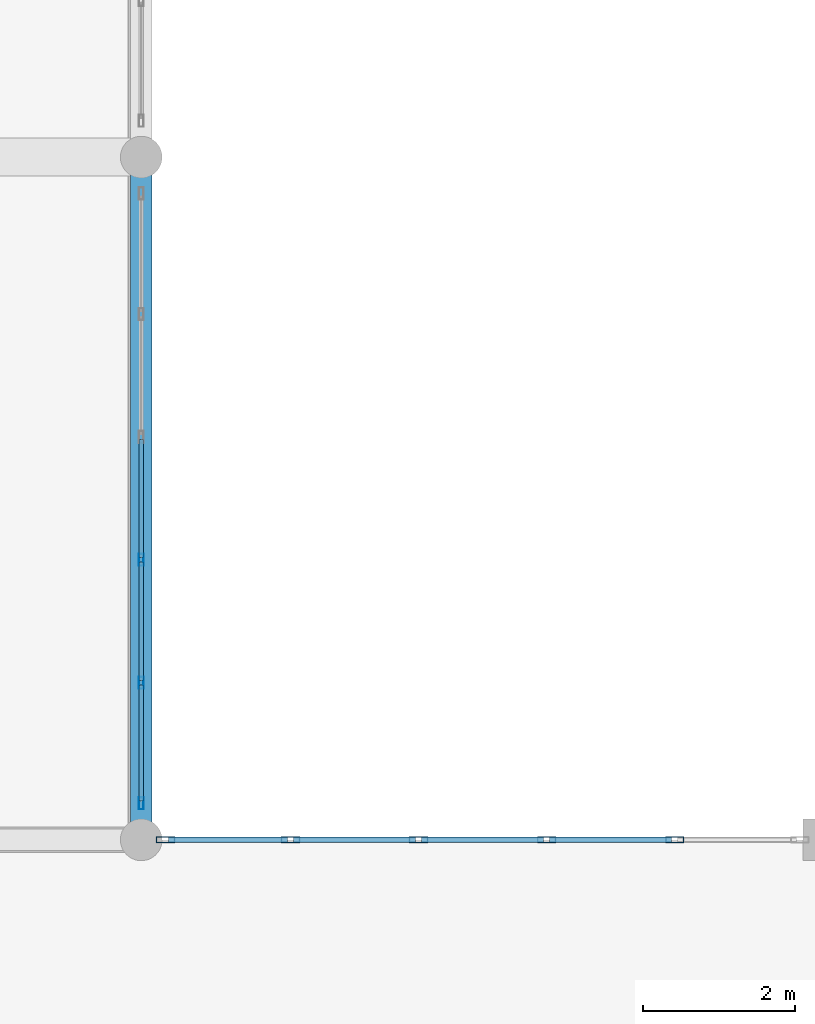
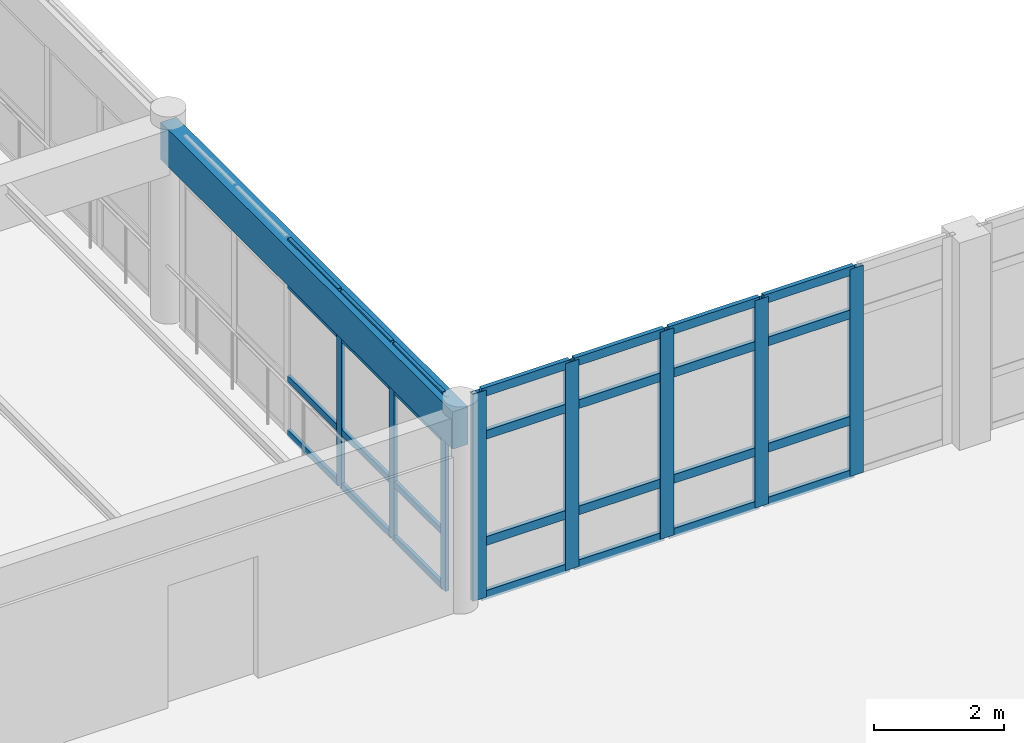
# One storey, part 23 of 156: 36 members, 1 beam, 2 elements without a shape of their own.
"""IFC4 building model written with IfcOpenShell, lengths in metres."""

from ifc_helpers import new_model, si_unit, direction, frame, origin, origin_2d, place, context, subcontext, project, spatial, rectangle, hollow_rectangle, extrude, material, layer, layer_set, material_profile, profile_set, type_object, element, aggregate, save


model = new_model("IFC4")

# Units and contexts
model_context = context("Model", 3, precision=1e-05, world=origin(), true_north=direction((0.0, 1.0)))
body_context = subcontext(model_context, "Body", "Model", "MODEL_VIEW")
ifc_project = project(units=[si_unit("LENGTHUNIT", "METRE"), si_unit("AREAUNIT", "SQUARE_METRE"), si_unit("VOLUMEUNIT", "CUBIC_METRE"), si_unit("PLANEANGLEUNIT", "RADIAN"), si_unit("MASSUNIT", "GRAM", prefix="KILO")], contexts=[model_context])

# Site, building, storey
site_placement = place(None, origin())
site = spatial("IfcSite", under=ifc_project, at=site_placement, CompositionType="ELEMENT")
building_placement = place(site_placement, origin())
building = spatial("IfcBuilding", under=site, at=building_placement, Name="Ornek Quay Market", CompositionType="ELEMENT")
storey_placement = place(building_placement, frame((0.0, 0.0, 4.5)))
storey = spatial("IfcBuildingStorey", under=building, at=storey_placement, Name="L01", CompositionType="ELEMENT", Elevation=4.5)

# Beam
ifc_material_1 = material(Name="Concrete C35/45", Category="concrete")
ifc_material_profile_1 = material_profile(ifc_material_1, rectangle(XDim=0.280029296875, YDim=0.699951171875, at=origin_2d()), Name="RC 280x700", Category="concrete")
ifc_profile_set_1 = profile_set([ifc_material_profile_1], Name="Concrete C35/45")
beam_type = type_object("IfcBeamType", Name="BM-SPN-280x700", PredefinedType="SPANDREL", material=ifc_profile_set_1)
beam_placement = place(storey_placement, frame((72.0, 29.0, 3.31005859375), z_axis=(0.0, 1.0, 0.0), x_axis=(-1.0, 0.0, 0.0)))
element("IfcBeam", 1, at=beam_placement, inside=storey, type_object=beam_type, Name="Primary beam B-SP2-061", PredefinedType="SPANDREL", context=body_context, shape_type="SweptSolid", body=[
    extrude(rectangle(XDim=0.280029296875, YDim=0.699951171875, at=origin_2d()), origin(), (0.0, 0.0, 1.0), 9.0),
])

# Curtain wall, members
ifc_material_2 = material(Name="Anodised bronze aluminium and triple low-e glass", Category="aluminium")
ifc_layer_1 = layer(ifc_material_2, 0.139892578125, Name="Anodised bronze aluminium and triple low-e glass", Category="aluminium")
ifc_layer_set_1 = layer_set([ifc_layer_1], Name="Anodised bronze aluminium and triple low-e glass")
curtain_wall_type_1 = type_object("IfcCurtainWallType", Name="CW-GALLERY-INT", PredefinedType="USERDEFINED", material=ifc_layer_set_1)
curtain_wall_1_placement = place(storey_placement, origin())
curtain_wall_1 = element("IfcCurtainWall", 2, at=curtain_wall_1_placement, inside=storey, type_object=curtain_wall_type_1, Name="Curtain wall CW-097", ObjectType="CURTAIN WALL", PredefinedType="USERDEFINED")
ifc_material_3 = material(Name="Anodised aluminium 6063-T6", Category="aluminium")
ifc_material_profile_2 = material_profile(ifc_material_3, hollow_rectangle(XDim=0.06005859375, YDim=0.159912109375, WallThickness=0.00390625, at=origin_2d()), Name="CW-MUL-60x160", Category="aluminium")
ifc_profile_set_2 = profile_set([ifc_material_profile_2], Name="Anodised aluminium 6063-T6")
member_type_1 = type_object("IfcMemberType", Name="CW-MUL-60x160", PredefinedType="MULLION", material=ifc_profile_set_2)
member_1_placement = place(storey_placement, frame((72.0, 29.47998046875, 0.0), z_axis=(0.0, 0.0, 1.0), x_axis=(-1.0, 0.0, 0.0)))
member_1 = element("IfcMember", 3, at=member_1_placement, type_object=member_type_1, Name="CW-097 mullion 1", PredefinedType="MULLION", context=body_context, shape_type="SweptSolid", body=[
    extrude(hollow_rectangle(XDim=0.06005859375, YDim=0.159912109375, WallThickness=0.00390625, at=origin_2d()), origin(), (0.0, 0.0, 1.0), 3.659912109375),
])
member_2_placement = place(storey_placement, frame((72.0, 31.070068359375, 0.0), z_axis=(0.0, 0.0, 1.0), x_axis=(-1.0, 0.0, 0.0)))
member_2 = element("IfcMember", 4, at=member_2_placement, type_object=member_type_1, Name="CW-097 mullion 2", PredefinedType="MULLION", context=body_context, shape_type="SweptSolid", body=[
    extrude(hollow_rectangle(XDim=0.06005859375, YDim=0.159912109375, WallThickness=0.00390625, at=origin_2d()), origin(), (0.0, 0.0, 1.0), 3.659912109375),
])
member_3_placement = place(storey_placement, frame((72.0, 32.68994140625, 0.0), z_axis=(0.0, 0.0, 1.0), x_axis=(-1.0, 0.0, 0.0)))
member_3 = element("IfcMember", 5, at=member_3_placement, type_object=member_type_1, Name="CW-097 mullion 3", PredefinedType="MULLION", context=body_context, shape_type="SweptSolid", body=[
    extrude(hollow_rectangle(XDim=0.06005859375, YDim=0.159912109375, WallThickness=0.00390625, at=origin_2d()), origin(), (0.0, 0.0, 1.0), 3.659912109375),
])

ifc_layer_2 = layer(ifc_material_2, 0.239990234375, Name="Anodised bronze aluminium and triple low-e glass", Category="aluminium")
ifc_layer_set_2 = layer_set([ifc_layer_2], Name="Anodised bronze aluminium and triple low-e glass")
curtain_wall_type_2 = type_object("IfcCurtainWallType", Name="CW-GAB-MOD1800", PredefinedType="USERDEFINED", material=ifc_layer_set_2)
curtain_wall_2_placement = place(storey_placement, origin())
curtain_wall_2 = element("IfcCurtainWall", 6, at=curtain_wall_2_placement, inside=storey, type_object=curtain_wall_type_2, Name="Curtain wall CW-065", ObjectType="CURTAIN WALL", PredefinedType="USERDEFINED")
ifc_material_profile_3 = material_profile(ifc_material_3, hollow_rectangle(XDim=0.080078125, YDim=0.239990234375, WallThickness=0.006103515625, at=origin_2d()), Name="CW-MUL-80x240", Category="aluminium")
ifc_profile_set_3 = profile_set([ifc_material_profile_3], Name="Anodised aluminium 6063-T6")
member_type_2 = type_object("IfcMemberType", Name="CW-MUL-80x240", PredefinedType="MULLION", material=ifc_profile_set_3)
member_4_placement = place(storey_placement, frame((72.320068359375, 29.0, 0.0), z_axis=(0.0, 0.0, 1.0), x_axis=(0.0, 1.0, 0.0)))
member_4 = element("IfcMember", 7, at=member_4_placement, type_object=member_type_2, Name="CW-065 mullion 1", PredefinedType="MULLION", context=body_context, shape_type="SweptSolid", body=[
    extrude(hollow_rectangle(XDim=0.080078125, YDim=0.239990234375, WallThickness=0.006103515625, at=origin_2d()), origin(), (0.0, 0.0, 1.0), 3.89990234375),
])
member_5_placement = place(storey_placement, frame((73.968017578125, 29.0, 0.0), z_axis=(0.0, 0.0, 1.0), x_axis=(0.0, 1.0, 0.0)))
member_5 = element("IfcMember", 8, at=member_5_placement, type_object=member_type_2, Name="CW-065 mullion 2", PredefinedType="MULLION", context=body_context, shape_type="SweptSolid", body=[
    extrude(hollow_rectangle(XDim=0.080078125, YDim=0.239990234375, WallThickness=0.006103515625, at=origin_2d()), origin(), (0.0, 0.0, 1.0), 3.89990234375),
])
member_6_placement = place(storey_placement, frame((75.656005859375, 29.0, 0.0), z_axis=(0.0, 0.0, 1.0), x_axis=(0.0, 1.0, 0.0)))
member_6 = element("IfcMember", 9, at=member_6_placement, type_object=member_type_2, Name="CW-065 mullion 3", PredefinedType="MULLION", context=body_context, shape_type="SweptSolid", body=[
    extrude(hollow_rectangle(XDim=0.080078125, YDim=0.239990234375, WallThickness=0.006103515625, at=origin_2d()), origin(), (0.0, 0.0, 1.0), 3.89990234375),
])
member_7_placement = place(storey_placement, frame((77.343994140625, 29.0, 0.0), z_axis=(0.0, 0.0, 1.0), x_axis=(0.0, 1.0, 0.0)))
member_7 = element("IfcMember", 10, at=member_7_placement, type_object=member_type_2, Name="CW-065 mullion 4", PredefinedType="MULLION", context=body_context, shape_type="SweptSolid", body=[
    extrude(hollow_rectangle(XDim=0.080078125, YDim=0.239990234375, WallThickness=0.006103515625, at=origin_2d()), origin(), (0.0, 0.0, 1.0), 3.89990234375),
])
member_8_placement = place(storey_placement, frame((79.031982421875, 29.0, 0.0), z_axis=(0.0, 0.0, 1.0), x_axis=(0.0, 1.0, 0.0)))
member_8 = element("IfcMember", 11, at=member_8_placement, type_object=member_type_2, Name="CW-065 mullion 5", PredefinedType="MULLION", context=body_context, shape_type="SweptSolid", body=[
    extrude(hollow_rectangle(XDim=0.080078125, YDim=0.239990234375, WallThickness=0.006103515625, at=origin_2d()), origin(), (0.0, 0.0, 1.0), 3.89990234375),
])

# Member
ifc_material_profile_4 = material_profile(ifc_material_3, hollow_rectangle(XDim=0.06005859375, YDim=0.1201171875, WallThickness=0.00390625, at=origin_2d()), Name="CW-TRN-60x120", Category="aluminium")
ifc_profile_set_4 = profile_set([ifc_material_profile_4], Name="Anodised aluminium 6063-T6")
member_type_3 = type_object("IfcMemberType", Name="CW-TRN-60x120", PredefinedType="USERDEFINED", material=ifc_profile_set_4)
member_9_placement = place(storey_placement, frame((72.0, 29.510009765625, 0.030029296875), z_axis=(0.0, 1.0, 0.0), x_axis=(-1.0, 0.0, 0.0)))
member_9 = element("IfcMember", 12, at=member_9_placement, type_object=member_type_3, Name="CW-097 transom 1.1", ObjectType="TRANSOM", PredefinedType="USERDEFINED", context=body_context, shape_type="SweptSolid", body=[
    extrude(hollow_rectangle(XDim=0.06005859375, YDim=0.1201171875, WallThickness=0.00390625, at=origin_2d()), origin(), (0.0, 0.0, 1.0), 1.530029296875),
])

member_10_placement = place(storey_placement, frame((72.0, 29.510009765625, 1.050048828125), z_axis=(0.0, 1.0, 0.0), x_axis=(-1.0, 0.0, 0.0)))
member_10 = element("IfcMember", 13, at=member_10_placement, type_object=member_type_3, Name="CW-097 transom 1.2", ObjectType="TRANSOM", PredefinedType="USERDEFINED", context=body_context, shape_type="SweptSolid", body=[
    extrude(hollow_rectangle(XDim=0.06005859375, YDim=0.1201171875, WallThickness=0.00390625, at=origin_2d()), origin(), (0.0, 0.0, 1.0), 1.530029296875),
])

member_11_placement = place(storey_placement, frame((72.0, 29.510009765625, 2.81005859375), z_axis=(0.0, 1.0, 0.0), x_axis=(-1.0, 0.0, 0.0)))
member_11 = element("IfcMember", 14, at=member_11_placement, type_object=member_type_3, Name="CW-097 transom 1.3", ObjectType="TRANSOM", PredefinedType="USERDEFINED", context=body_context, shape_type="SweptSolid", body=[
    extrude(hollow_rectangle(XDim=0.06005859375, YDim=0.1201171875, WallThickness=0.00390625, at=origin_2d()), origin(), (0.0, 0.0, 1.0), 1.530029296875),
])

member_12_placement = place(storey_placement, frame((72.0, 29.510009765625, 3.6298828125), z_axis=(0.0, 1.0, 0.0), x_axis=(-1.0, 0.0, 0.0)))
member_12 = element("IfcMember", 15, at=member_12_placement, type_object=member_type_3, Name="CW-097 transom 1.4", ObjectType="TRANSOM", PredefinedType="USERDEFINED", context=body_context, shape_type="SweptSolid", body=[
    extrude(hollow_rectangle(XDim=0.06005859375, YDim=0.1201171875, WallThickness=0.00390625, at=origin_2d()), origin(), (0.0, 0.0, 1.0), 1.530029296875),
])

member_13_placement = place(storey_placement, frame((72.0, 31.10009765625, 0.030029296875), z_axis=(0.0, 1.0, 0.0), x_axis=(-1.0, 0.0, 0.0)))
member_13 = element("IfcMember", 16, at=member_13_placement, type_object=member_type_3, Name="CW-097 transom 2.1", ObjectType="TRANSOM", PredefinedType="USERDEFINED", context=body_context, shape_type="SweptSolid", body=[
    extrude(hollow_rectangle(XDim=0.06005859375, YDim=0.1201171875, WallThickness=0.00390625, at=origin_2d()), origin(), (0.0, 0.0, 1.0), 1.559814453125),
])

member_14_placement = place(storey_placement, frame((72.0, 31.10009765625, 1.050048828125), z_axis=(0.0, 1.0, 0.0), x_axis=(-1.0, 0.0, 0.0)))
member_14 = element("IfcMember", 17, at=member_14_placement, type_object=member_type_3, Name="CW-097 transom 2.2", ObjectType="TRANSOM", PredefinedType="USERDEFINED", context=body_context, shape_type="SweptSolid", body=[
    extrude(hollow_rectangle(XDim=0.06005859375, YDim=0.1201171875, WallThickness=0.00390625, at=origin_2d()), origin(), (0.0, 0.0, 1.0), 1.559814453125),
])

member_15_placement = place(storey_placement, frame((72.0, 31.10009765625, 2.81005859375), z_axis=(0.0, 1.0, 0.0), x_axis=(-1.0, 0.0, 0.0)))
member_15 = element("IfcMember", 18, at=member_15_placement, type_object=member_type_3, Name="CW-097 transom 2.3", ObjectType="TRANSOM", PredefinedType="USERDEFINED", context=body_context, shape_type="SweptSolid", body=[
    extrude(hollow_rectangle(XDim=0.06005859375, YDim=0.1201171875, WallThickness=0.00390625, at=origin_2d()), origin(), (0.0, 0.0, 1.0), 1.559814453125),
])

member_16_placement = place(storey_placement, frame((72.0, 31.10009765625, 3.6298828125), z_axis=(0.0, 1.0, 0.0), x_axis=(-1.0, 0.0, 0.0)))
member_16 = element("IfcMember", 19, at=member_16_placement, type_object=member_type_3, Name="CW-097 transom 2.4", ObjectType="TRANSOM", PredefinedType="USERDEFINED", context=body_context, shape_type="SweptSolid", body=[
    extrude(hollow_rectangle(XDim=0.06005859375, YDim=0.1201171875, WallThickness=0.00390625, at=origin_2d()), origin(), (0.0, 0.0, 1.0), 1.559814453125),
])

member_17_placement = place(storey_placement, frame((72.0, 32.719970703125, 0.030029296875), z_axis=(0.0, 1.0, 0.0), x_axis=(-1.0, 0.0, 0.0)))
member_17 = element("IfcMember", 20, at=member_17_placement, type_object=member_type_3, Name="CW-097 transom 3.1", ObjectType="TRANSOM", PredefinedType="USERDEFINED", context=body_context, shape_type="SweptSolid", body=[
    extrude(hollow_rectangle(XDim=0.06005859375, YDim=0.1201171875, WallThickness=0.00390625, at=origin_2d()), origin(), (0.0, 0.0, 1.0), 1.56005859375),
])

member_18_placement = place(storey_placement, frame((72.0, 32.719970703125, 1.050048828125), z_axis=(0.0, 1.0, 0.0), x_axis=(-1.0, 0.0, 0.0)))
member_18 = element("IfcMember", 21, at=member_18_placement, type_object=member_type_3, Name="CW-097 transom 3.2", ObjectType="TRANSOM", PredefinedType="USERDEFINED", context=body_context, shape_type="SweptSolid", body=[
    extrude(hollow_rectangle(XDim=0.06005859375, YDim=0.1201171875, WallThickness=0.00390625, at=origin_2d()), origin(), (0.0, 0.0, 1.0), 1.56005859375),
])

member_19_placement = place(storey_placement, frame((72.0, 32.719970703125, 2.81005859375), z_axis=(0.0, 1.0, 0.0), x_axis=(-1.0, 0.0, 0.0)))
member_19 = element("IfcMember", 22, at=member_19_placement, type_object=member_type_3, Name="CW-097 transom 3.3", ObjectType="TRANSOM", PredefinedType="USERDEFINED", context=body_context, shape_type="SweptSolid", body=[
    extrude(hollow_rectangle(XDim=0.06005859375, YDim=0.1201171875, WallThickness=0.00390625, at=origin_2d()), origin(), (0.0, 0.0, 1.0), 1.56005859375),
])

member_20_placement = place(storey_placement, frame((72.0, 32.719970703125, 3.6298828125), z_axis=(0.0, 1.0, 0.0), x_axis=(-1.0, 0.0, 0.0)))
member_20 = element("IfcMember", 23, at=member_20_placement, type_object=member_type_3, Name="CW-097 transom 3.4", ObjectType="TRANSOM", PredefinedType="USERDEFINED", context=body_context, shape_type="SweptSolid", body=[
    extrude(hollow_rectangle(XDim=0.06005859375, YDim=0.1201171875, WallThickness=0.00390625, at=origin_2d()), origin(), (0.0, 0.0, 1.0), 1.56005859375),
])

aggregate(curtain_wall_1, [member_1, member_2, member_3, member_9, member_10, member_11, member_12, member_13, member_14, member_15, member_16, member_17, member_18, member_19, member_20])

ifc_material_profile_5 = material_profile(ifc_material_3, hollow_rectangle(XDim=0.074951171875, YDim=0.1650390625, WallThickness=0.0048828125, at=origin_2d()), Name="CW-TRN-75x165", Category="aluminium")
ifc_profile_set_5 = profile_set([ifc_material_profile_5], Name="Anodised aluminium 6063-T6")
member_type_4 = type_object("IfcMemberType", Name="CW-TRN-75x165", PredefinedType="USERDEFINED", material=ifc_profile_set_5)
member_21_placement = place(storey_placement, frame((72.360107421875, 29.0, 0.03759765625), z_axis=(1.0, 0.0, 0.0), x_axis=(0.0, 1.0, 0.0)))
member_21 = element("IfcMember", 24, at=member_21_placement, type_object=member_type_4, Name="CW-065 transom 1.1", ObjectType="TRANSOM", PredefinedType="USERDEFINED", context=body_context, shape_type="SweptSolid", body=[
    extrude(hollow_rectangle(XDim=0.074951171875, YDim=0.1650390625, WallThickness=0.0048828125, at=origin_2d()), origin(), (0.0, 0.0, 1.0), 1.56787109375),
])

member_22_placement = place(storey_placement, frame((72.360107421875, 29.0, 1.050048828125), z_axis=(1.0, 0.0, 0.0), x_axis=(0.0, 1.0, 0.0)))
member_22 = element("IfcMember", 25, at=member_22_placement, type_object=member_type_4, Name="CW-065 transom 1.2", ObjectType="TRANSOM", PredefinedType="USERDEFINED", context=body_context, shape_type="SweptSolid", body=[
    extrude(hollow_rectangle(XDim=0.074951171875, YDim=0.1650390625, WallThickness=0.0048828125, at=origin_2d()), origin(), (0.0, 0.0, 1.0), 1.56787109375),
])

member_23_placement = place(storey_placement, frame((72.360107421875, 29.0, 3.050048828125), z_axis=(1.0, 0.0, 0.0), x_axis=(0.0, 1.0, 0.0)))
member_23 = element("IfcMember", 26, at=member_23_placement, type_object=member_type_4, Name="CW-065 transom 1.3", ObjectType="TRANSOM", PredefinedType="USERDEFINED", context=body_context, shape_type="SweptSolid", body=[
    extrude(hollow_rectangle(XDim=0.074951171875, YDim=0.1650390625, WallThickness=0.0048828125, at=origin_2d()), origin(), (0.0, 0.0, 1.0), 1.56787109375),
])

member_24_placement = place(storey_placement, frame((72.360107421875, 29.0, 3.862548828125), z_axis=(1.0, 0.0, 0.0), x_axis=(0.0, 1.0, 0.0)))
member_24 = element("IfcMember", 27, at=member_24_placement, type_object=member_type_4, Name="CW-065 transom 1.4", ObjectType="TRANSOM", PredefinedType="USERDEFINED", context=body_context, shape_type="SweptSolid", body=[
    extrude(hollow_rectangle(XDim=0.074951171875, YDim=0.1650390625, WallThickness=0.0048828125, at=origin_2d()), origin(), (0.0, 0.0, 1.0), 1.56787109375),
])

member_25_placement = place(storey_placement, frame((74.008056640625, 29.0, 0.03759765625), z_axis=(1.0, 0.0, 0.0), x_axis=(0.0, 1.0, 0.0)))
member_25 = element("IfcMember", 28, at=member_25_placement, type_object=member_type_4, Name="CW-065 transom 2.1", ObjectType="TRANSOM", PredefinedType="USERDEFINED", context=body_context, shape_type="SweptSolid", body=[
    extrude(hollow_rectangle(XDim=0.074951171875, YDim=0.1650390625, WallThickness=0.0048828125, at=origin_2d()), origin(), (0.0, 0.0, 1.0), 1.60791015625),
])

member_26_placement = place(storey_placement, frame((74.008056640625, 29.0, 1.050048828125), z_axis=(1.0, 0.0, 0.0), x_axis=(0.0, 1.0, 0.0)))
member_26 = element("IfcMember", 29, at=member_26_placement, type_object=member_type_4, Name="CW-065 transom 2.2", ObjectType="TRANSOM", PredefinedType="USERDEFINED", context=body_context, shape_type="SweptSolid", body=[
    extrude(hollow_rectangle(XDim=0.074951171875, YDim=0.1650390625, WallThickness=0.0048828125, at=origin_2d()), origin(), (0.0, 0.0, 1.0), 1.60791015625),
])

member_27_placement = place(storey_placement, frame((74.008056640625, 29.0, 3.050048828125), z_axis=(1.0, 0.0, 0.0), x_axis=(0.0, 1.0, 0.0)))
member_27 = element("IfcMember", 30, at=member_27_placement, type_object=member_type_4, Name="CW-065 transom 2.3", ObjectType="TRANSOM", PredefinedType="USERDEFINED", context=body_context, shape_type="SweptSolid", body=[
    extrude(hollow_rectangle(XDim=0.074951171875, YDim=0.1650390625, WallThickness=0.0048828125, at=origin_2d()), origin(), (0.0, 0.0, 1.0), 1.60791015625),
])

member_28_placement = place(storey_placement, frame((74.008056640625, 29.0, 3.862548828125), z_axis=(1.0, 0.0, 0.0), x_axis=(0.0, 1.0, 0.0)))
member_28 = element("IfcMember", 31, at=member_28_placement, type_object=member_type_4, Name="CW-065 transom 2.4", ObjectType="TRANSOM", PredefinedType="USERDEFINED", context=body_context, shape_type="SweptSolid", body=[
    extrude(hollow_rectangle(XDim=0.074951171875, YDim=0.1650390625, WallThickness=0.0048828125, at=origin_2d()), origin(), (0.0, 0.0, 1.0), 1.60791015625),
])

member_29_placement = place(storey_placement, frame((75.696044921875, 29.0, 0.03759765625), z_axis=(1.0, 0.0, 0.0), x_axis=(0.0, 1.0, 0.0)))
member_29 = element("IfcMember", 32, at=member_29_placement, type_object=member_type_4, Name="CW-065 transom 3.1", ObjectType="TRANSOM", PredefinedType="USERDEFINED", context=body_context, shape_type="SweptSolid", body=[
    extrude(hollow_rectangle(XDim=0.074951171875, YDim=0.1650390625, WallThickness=0.0048828125, at=origin_2d()), origin(), (0.0, 0.0, 1.0), 1.60791015625),
])

member_30_placement = place(storey_placement, frame((75.696044921875, 29.0, 1.050048828125), z_axis=(1.0, 0.0, 0.0), x_axis=(0.0, 1.0, 0.0)))
member_30 = element("IfcMember", 33, at=member_30_placement, type_object=member_type_4, Name="CW-065 transom 3.2", ObjectType="TRANSOM", PredefinedType="USERDEFINED", context=body_context, shape_type="SweptSolid", body=[
    extrude(hollow_rectangle(XDim=0.074951171875, YDim=0.1650390625, WallThickness=0.0048828125, at=origin_2d()), origin(), (0.0, 0.0, 1.0), 1.60791015625),
])

member_31_placement = place(storey_placement, frame((75.696044921875, 29.0, 3.050048828125), z_axis=(1.0, 0.0, 0.0), x_axis=(0.0, 1.0, 0.0)))
member_31 = element("IfcMember", 34, at=member_31_placement, type_object=member_type_4, Name="CW-065 transom 3.3", ObjectType="TRANSOM", PredefinedType="USERDEFINED", context=body_context, shape_type="SweptSolid", body=[
    extrude(hollow_rectangle(XDim=0.074951171875, YDim=0.1650390625, WallThickness=0.0048828125, at=origin_2d()), origin(), (0.0, 0.0, 1.0), 1.60791015625),
])

member_32_placement = place(storey_placement, frame((75.696044921875, 29.0, 3.862548828125), z_axis=(1.0, 0.0, 0.0), x_axis=(0.0, 1.0, 0.0)))
member_32 = element("IfcMember", 35, at=member_32_placement, type_object=member_type_4, Name="CW-065 transom 3.4", ObjectType="TRANSOM", PredefinedType="USERDEFINED", context=body_context, shape_type="SweptSolid", body=[
    extrude(hollow_rectangle(XDim=0.074951171875, YDim=0.1650390625, WallThickness=0.0048828125, at=origin_2d()), origin(), (0.0, 0.0, 1.0), 1.60791015625),
])

member_33_placement = place(storey_placement, frame((77.384033203125, 29.0, 0.03759765625), z_axis=(1.0, 0.0, 0.0), x_axis=(0.0, 1.0, 0.0)))
member_33 = element("IfcMember", 36, at=member_33_placement, type_object=member_type_4, Name="CW-065 transom 4.1", ObjectType="TRANSOM", PredefinedType="USERDEFINED", context=body_context, shape_type="SweptSolid", body=[
    extrude(hollow_rectangle(XDim=0.074951171875, YDim=0.1650390625, WallThickness=0.0048828125, at=origin_2d()), origin(), (0.0, 0.0, 1.0), 1.60791015625),
])

member_34_placement = place(storey_placement, frame((77.384033203125, 29.0, 1.050048828125), z_axis=(1.0, 0.0, 0.0), x_axis=(0.0, 1.0, 0.0)))
member_34 = element("IfcMember", 37, at=member_34_placement, type_object=member_type_4, Name="CW-065 transom 4.2", ObjectType="TRANSOM", PredefinedType="USERDEFINED", context=body_context, shape_type="SweptSolid", body=[
    extrude(hollow_rectangle(XDim=0.074951171875, YDim=0.1650390625, WallThickness=0.0048828125, at=origin_2d()), origin(), (0.0, 0.0, 1.0), 1.60791015625),
])

member_35_placement = place(storey_placement, frame((77.384033203125, 29.0, 3.050048828125), z_axis=(1.0, 0.0, 0.0), x_axis=(0.0, 1.0, 0.0)))
member_35 = element("IfcMember", 38, at=member_35_placement, type_object=member_type_4, Name="CW-065 transom 4.3", ObjectType="TRANSOM", PredefinedType="USERDEFINED", context=body_context, shape_type="SweptSolid", body=[
    extrude(hollow_rectangle(XDim=0.074951171875, YDim=0.1650390625, WallThickness=0.0048828125, at=origin_2d()), origin(), (0.0, 0.0, 1.0), 1.60791015625),
])

member_36_placement = place(storey_placement, frame((77.384033203125, 29.0, 3.862548828125), z_axis=(1.0, 0.0, 0.0), x_axis=(0.0, 1.0, 0.0)))
member_36 = element("IfcMember", 39, at=member_36_placement, type_object=member_type_4, Name="CW-065 transom 4.4", ObjectType="TRANSOM", PredefinedType="USERDEFINED", context=body_context, shape_type="SweptSolid", body=[
    extrude(hollow_rectangle(XDim=0.074951171875, YDim=0.1650390625, WallThickness=0.0048828125, at=origin_2d()), origin(), (0.0, 0.0, 1.0), 1.60791015625),
])

aggregate(curtain_wall_2, [member_4, member_5, member_6, member_7, member_8, member_21, member_22, member_23, member_24, member_25, member_26, member_27, member_28, member_29, member_30, member_31, member_32, member_33, member_34, member_35, member_36])

save(model, "model.ifc")
